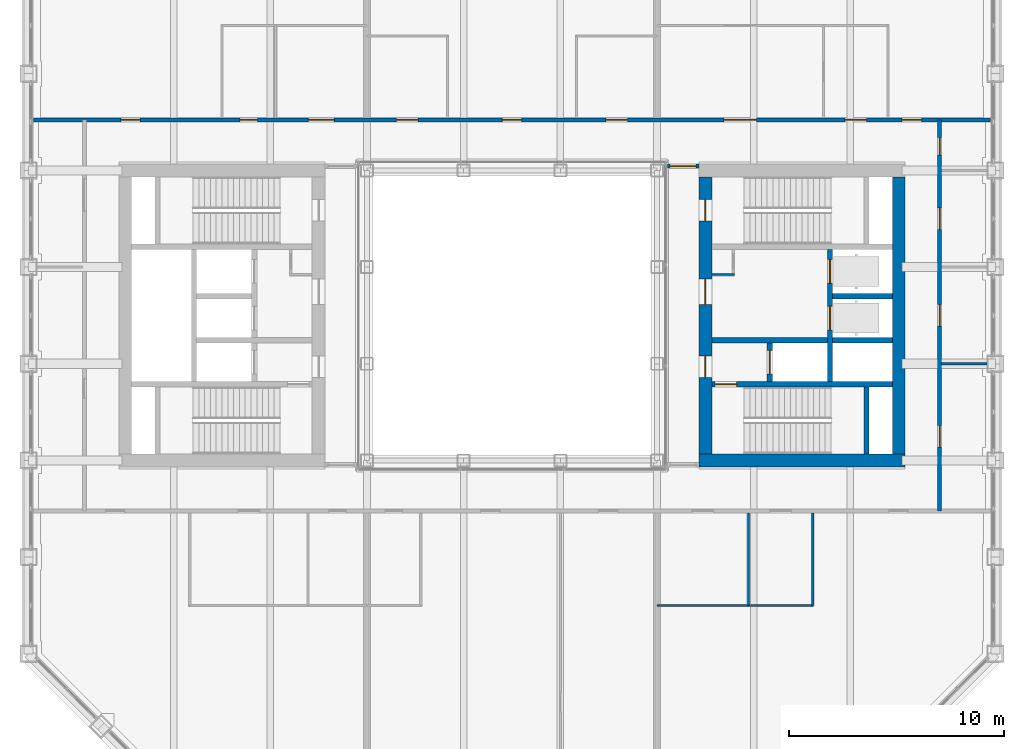
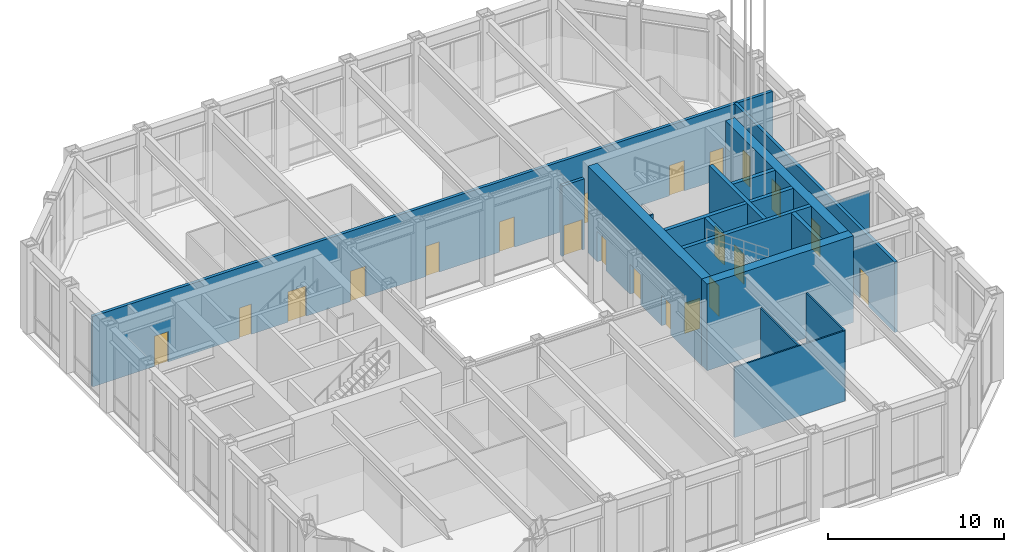
# One storey, part 14 of 22: 21 doors, 18 walls, 21 openings.
"""IFC4 building model written with IfcOpenShell, lengths in metres."""

from ifc_helpers import new_model, si_unit, direction, frame, frame_2d, origin, place, context, subcontext, project, spatial, rectangle, extrude, material, layer, layer_set, type_object, element, fill, save


model = new_model("IFC4")

# Units and contexts
model_context = context("Model", 3, precision=1e-05, world=origin(), true_north=direction((0.0, 1.0)))
body_context = subcontext(model_context, "Body", "Model", "MODEL_VIEW")
ifc_project = project(units=[si_unit("LENGTHUNIT", "METRE"), si_unit("AREAUNIT", "SQUARE_METRE"), si_unit("VOLUMEUNIT", "CUBIC_METRE"), si_unit("PLANEANGLEUNIT", "RADIAN"), si_unit("MASSUNIT", "GRAM", prefix="KILO")], contexts=[model_context])

# Site, building, storey
site_placement = place(None, origin())
site = spatial("IfcSite", under=ifc_project, at=site_placement, CompositionType="ELEMENT")
building_placement = place(site_placement, origin())
building = spatial("IfcBuilding", under=site, at=building_placement, Name="Msasa Ring Tower", CompositionType="ELEMENT")
storey_placement = place(building_placement, frame((0.0, 0.0, 112.39990234375)))
storey = spatial("IfcBuildingStorey", under=building, at=storey_placement, Name="L29", CompositionType="ELEMENT", Elevation=112.39990234375)

# Wall
ifc_material_1 = material(Name="Concrete C60/75", Category="concrete")
ifc_layer_1 = layer(ifc_material_1, 0.60009765625)
ifc_layer_set_1 = layer_set([ifc_layer_1], Name="CW2 CORE WALL 600")
wall_type_1 = type_object("IfcWallType", Name="CW2 CORE WALL 600", PredefinedType="SHEAR", material=ifc_layer_set_1)
wall_1_placement = place(storey_placement, frame((8.699951171875, -6.75, 0.0), z_axis=(0.0, 0.0, 1.0), x_axis=(1.0, 0.0, 0.0)))
element("IfcWall", 1, at=wall_1_placement, inside=storey, type_object=wall_type_1, Name="E core wall S L29", PredefinedType="SHEAR", context=body_context, shape_type="SweptSolid", body=[
    extrude(rectangle(XDim=9.60009765625, YDim=0.60009765625, at=frame_2d((4.800048828125, 0.0))), origin(), (0.0, 0.0, 1.0), 6.0),
])

# Wall, openings, doors
wall_2_placement = place(storey_placement, frame((9.0, -6.449951171875, 0.0), z_axis=(0.0, 0.0, 1.0), x_axis=(0.0, 1.0, 0.0)))
wall_2 = element("IfcWall", 2, at=wall_2_placement, inside=storey, type_object=wall_type_1, Name="E core wall W L29", PredefinedType="SHEAR", context=body_context, shape_type="SweptSolid", body=[
    extrude(rectangle(XDim=12.89990234375, YDim=0.60009765625, at=frame_2d((6.449951171875, 0.0))), origin(), (0.0, 0.0, 1.0), 6.0),
])
opening_1_placement = place(wall_2_placement, frame((3.550048828125, 0.0, 0.0)))
opening_1 = element("IfcOpeningElement", 3, at=opening_1_placement, cuts=wall_2, Name="Opening L29-025", PredefinedType="OPENING", context=body_context, shape_type="SweptSolid", body=[
    extrude(rectangle(XDim=1.0, YDim=2.10009765625, at=frame_2d((0.5, 1.050048828125))), frame((0.0, 0.31005859375, 0.0), z_axis=(0.0, -1.0, 0.0), x_axis=(1.0, 0.0, 0.0)), (0.0, 0.0, 1.0), 0.6201171875),
])
opening_2_placement = place(wall_2_placement, frame((6.949951171875, 0.0, 0.0)))
opening_2 = element("IfcOpeningElement", 4, at=opening_2_placement, cuts=wall_2, Name="Opening L29-022", PredefinedType="OPENING", context=body_context, shape_type="SweptSolid", body=[
    extrude(rectangle(XDim=1.199951171875, YDim=2.10009765625, at=frame_2d((0.60009765625, 1.050048828125))), frame((0.0, 0.31005859375, 0.0), z_axis=(0.0, -1.0, 0.0), x_axis=(1.0, 0.0, 0.0)), (0.0, 0.0, 1.0), 0.6201171875),
])
opening_3_placement = place(wall_2_placement, frame((10.85009765625, 0.0, 0.0)))
opening_3 = element("IfcOpeningElement", 5, at=opening_3_placement, cuts=wall_2, Name="Opening L29-017", PredefinedType="OPENING", context=body_context, shape_type="SweptSolid", body=[
    extrude(rectangle(XDim=1.0, YDim=2.10009765625, at=frame_2d((0.5, 1.050048828125))), frame((0.0, 0.31005859375, 0.0), z_axis=(0.0, -1.0, 0.0), x_axis=(1.0, 0.0, 0.0)), (0.0, 0.0, 1.0), 0.6201171875),
])
ifc_material_2 = material(Name="Timber door leaf in a steel frame", Category="steel")
door_type_1 = type_object("IfcDoorType", Name="D4 LOBBY DOOR 1000x2100", OperationType="SINGLE_SWING_LEFT", PredefinedType="DOOR", material=ifc_material_2)
door_1_placement = place(opening_1_placement, origin())
door_1 = element("IfcDoor", 6, at=door_1_placement, inside=storey, type_object=door_type_1, Name="Door L29-EFFL", OperationType="SINGLE_SWING_LEFT", OverallHeight=2.10009765625, OverallWidth=1.0, PredefinedType="DOOR", context=body_context, shape_type="SweptSolid", body=[
    extrude(rectangle(XDim=1.0, YDim=2.10009765625, at=frame_2d((0.5, 1.050048828125))), frame((0.0, 0.02490234375, 0.0), z_axis=(0.0, -1.0, 0.0), x_axis=(1.0, 0.0, 0.0)), (0.0, 0.0, 1.0), 0.050048828125),
])
fill(opening_1, door_1)
ifc_material_3 = material(Name="Timber door leaf in a steel frame", Category="steel")
door_type_2 = type_object("IfcDoorType", Name="D5 WIDE LOBBY DOOR 1200x2100", OperationType="SINGLE_SWING_LEFT", PredefinedType="DOOR", material=ifc_material_3)
door_2_placement = place(opening_2_placement, origin())
door_2 = element("IfcDoor", 7, at=door_2_placement, inside=storey, type_object=door_type_2, Name="Door L29-ELL", OperationType="SINGLE_SWING_RIGHT", OverallHeight=2.10009765625, OverallWidth=1.199951171875, PredefinedType="DOOR", context=body_context, shape_type="SweptSolid", body=[
    extrude(rectangle(XDim=1.199951171875, YDim=2.10009765625, at=frame_2d((0.60009765625, 1.050048828125))), frame((0.0, 0.02490234375, 0.0), z_axis=(0.0, -1.0, 0.0), x_axis=(1.0, 0.0, 0.0)), (0.0, 0.0, 1.0), 0.050048828125),
])
fill(opening_2, door_2)
ifc_material_4 = material(Name="Timber door leaf in a steel frame", Category="steel")
door_type_3 = type_object("IfcDoorType", Name="D6 STAIR DOOR 1000x2100", OperationType="SINGLE_SWING_LEFT", PredefinedType="DOOR", material=ifc_material_4)
door_3_placement = place(opening_3_placement, origin())
door_3 = element("IfcDoor", 8, at=door_3_placement, inside=storey, type_object=door_type_3, Name="Door L29-ESTB", OperationType="SINGLE_SWING_RIGHT", OverallHeight=2.10009765625, OverallWidth=1.0, PredefinedType="DOOR", context=body_context, shape_type="SweptSolid", body=[
    extrude(rectangle(XDim=1.0, YDim=2.10009765625, at=frame_2d((0.5, 1.050048828125))), frame((0.0, 0.02490234375, 0.0), z_axis=(0.0, -1.0, 0.0), x_axis=(1.0, 0.0, 0.0)), (0.0, 0.0, 1.0), 0.050048828125),
])
fill(opening_3, door_3)

# Wall
wall_3_placement = place(storey_placement, frame((18.0, -6.449951171875, 0.0), z_axis=(0.0, 0.0, 1.0), x_axis=(0.0, 1.0, 0.0)))
element("IfcWall", 9, at=wall_3_placement, inside=storey, type_object=wall_type_1, Name="E core wall E L29", PredefinedType="SHEAR", context=body_context, shape_type="SweptSolid", body=[
    extrude(rectangle(XDim=12.89990234375, YDim=0.60009765625, at=frame_2d((6.449951171875, 0.0))), origin(), (0.0, 0.0, 1.0), 6.0),
])

# Wall, opening, door
ifc_material_5 = material(Name="Concrete C60/75", Category="concrete")
ifc_layer_2 = layer(ifc_material_5, 0.25)
ifc_layer_set_2 = layer_set([ifc_layer_2], Name="CW4 CORE INNER WALL 250")
wall_type_2 = type_object("IfcWallType", Name="CW4 CORE INNER WALL 250", PredefinedType="SHEAR", material=ifc_layer_set_2)
wall_4_placement = place(storey_placement, frame((9.300048828125, -3.199951171875, 0.0), z_axis=(0.0, 0.0, 1.0), x_axis=(1.0, 0.0, 0.0)))
wall_4 = element("IfcWall", 10, at=wall_4_placement, inside=storey, type_object=wall_type_2, Name="E core wall STAIRA L29", PredefinedType="SHEAR", context=body_context, shape_type="SweptSolid", body=[
    extrude(rectangle(XDim=8.39990234375, YDim=0.25, at=frame_2d((4.199951171875, 0.0))), origin(), (0.0, 0.0, 1.0), 6.0),
])
opening_4_placement = place(wall_4_placement, frame((0.14990234375, 0.0, 0.0)))
opening_4 = element("IfcOpeningElement", 11, at=opening_4_placement, cuts=wall_4, Name="Opening L29-027", PredefinedType="OPENING", context=body_context, shape_type="SweptSolid", body=[
    extrude(rectangle(XDim=1.0, YDim=2.10009765625, at=frame_2d((0.5, 1.050048828125))), frame((0.0, 0.135009765625, 0.0), z_axis=(0.0, -1.0, 0.0), x_axis=(1.0, 0.0, 0.0)), (0.0, 0.0, 1.0), 0.27001953125),
])
door_4_placement = place(opening_4_placement, origin())
door_4 = element("IfcDoor", 12, at=door_4_placement, inside=storey, type_object=door_type_3, Name="Door L29-ESTA", OperationType="SINGLE_SWING_LEFT", OverallHeight=2.10009765625, OverallWidth=1.0, PredefinedType="DOOR", context=body_context, shape_type="SweptSolid", body=[
    extrude(rectangle(XDim=1.0, YDim=2.10009765625, at=frame_2d((0.5, 1.050048828125))), frame((0.0, 0.02490234375, 0.0), z_axis=(0.0, -1.0, 0.0), x_axis=(1.0, 0.0, 0.0)), (0.0, 0.0, 1.0), 0.050048828125),
])
fill(opening_4, door_4)

# Walls
wall_5_placement = place(storey_placement, frame((16.5, -6.449951171875, 0.0), z_axis=(0.0, 0.0, 1.0), x_axis=(0.0, 1.0, 0.0)))
element("IfcWall", 13, at=wall_5_placement, inside=storey, type_object=wall_type_2, Name="E core wall RISERA L29", PredefinedType="SHEAR", context=body_context, shape_type="SweptSolid", body=[
    extrude(rectangle(XDim=3.125, YDim=0.25, at=frame_2d((1.5625, 0.0))), origin(), (0.0, 0.0, 1.0), 6.0),
])
wall_6_placement = place(storey_placement, frame((9.300048828125, -1.14990234375, 0.0), z_axis=(0.0, 0.0, 1.0), x_axis=(1.0, 0.0, 0.0)))
element("IfcWall", 14, at=wall_6_placement, inside=storey, type_object=wall_type_2, Name="E core wall FFL L29", PredefinedType="SHEAR", context=body_context, shape_type="SweptSolid", body=[
    extrude(rectangle(XDim=5.375, YDim=0.25, at=frame_2d((2.6875, 0.0))), origin(), (0.0, 0.0, 1.0), 6.0),
])

# Wall, opening, door
wall_7_placement = place(storey_placement, frame((12.0, -3.074951171875, 0.0), z_axis=(0.0, 0.0, 1.0), x_axis=(0.0, 1.0, 0.0)))
wall_7 = element("IfcWall", 15, at=wall_7_placement, inside=storey, type_object=wall_type_2, Name="E core wall LOBBY L29", PredefinedType="SHEAR", context=body_context, shape_type="SweptSolid", body=[
    extrude(rectangle(XDim=1.800048828125, YDim=0.25, at=frame_2d((0.89990234375, 0.0))), origin(), (0.0, 0.0, 1.0), 6.0),
])
opening_5_placement = place(wall_7_placement, frame((0.35009765625, 0.0, 0.0)))
opening_5 = element("IfcOpeningElement", 16, at=opening_5_placement, cuts=wall_7, Name="Opening LD1", PredefinedType="OPENING", context=body_context, shape_type="SweptSolid", body=[
    extrude(rectangle(XDim=1.10009765625, YDim=2.10009765625, at=frame_2d((0.550048828125, 1.050048828125))), frame((0.0, 0.135009765625, 0.0), z_axis=(0.0, -1.0, 0.0), x_axis=(1.0, 0.0, 0.0)), (0.0, 0.0, 1.0), 0.27001953125),
])
ifc_material_6 = material(Name="Stainless steel lift landing door", Category="steel")
door_type_4 = type_object("IfcDoorType", Name="LD1 LIFT LANDING DOOR 1100x2100", OperationType="DOUBLE_DOOR_SLIDING", PredefinedType="DOOR", material=ifc_material_6)
door_5_placement = place(opening_5_placement, origin())
door_5 = element("IfcDoor", 17, at=door_5_placement, inside=storey, type_object=door_type_4, Name="Lift landing door FL-E L29", OperationType="DOUBLE_DOOR_SLIDING", OverallHeight=2.10009765625, OverallWidth=1.10009765625, PredefinedType="DOOR", context=body_context, shape_type="SweptSolid", body=[
    extrude(rectangle(XDim=1.10009765625, YDim=2.10009765625, at=frame_2d((0.550048828125, 1.050048828125))), frame((0.0, 0.02490234375, 0.0), z_axis=(0.0, -1.0, 0.0), x_axis=(1.0, 0.0, 0.0)), (0.0, 0.0, 1.0), 0.050048828125),
])
fill(opening_5, door_5)

# Wall, openings, doors
wall_8_placement = place(storey_placement, frame((14.800048828125, -3.074951171875, 0.0), z_axis=(0.0, 0.0, 1.0), x_axis=(0.0, 1.0, 0.0)))
wall_8 = element("IfcWall", 18, at=wall_8_placement, inside=storey, type_object=wall_type_2, Name="E core wall SHAFT L29", PredefinedType="SHEAR", context=body_context, shape_type="SweptSolid", body=[
    extrude(rectangle(XDim=6.14990234375, YDim=0.25, at=frame_2d((3.074951171875, 0.0))), origin(), (0.0, 0.0, 1.0), 6.0),
])
opening_6_placement = place(wall_8_placement, frame((2.39990234375, 0.0, 0.0)))
opening_6 = element("IfcOpeningElement", 19, at=opening_6_placement, cuts=wall_8, Name="Opening LD1", PredefinedType="OPENING", context=body_context, shape_type="SweptSolid", body=[
    extrude(rectangle(XDim=1.10009765625, YDim=2.10009765625, at=frame_2d((0.550048828125, 1.050048828125))), frame((0.0, 0.135009765625, 0.0), z_axis=(0.0, -1.0, 0.0), x_axis=(1.0, 0.0, 0.0)), (0.0, 0.0, 1.0), 0.27001953125),
])
opening_7_placement = place(wall_8_placement, frame((4.574951171875, 0.0, 0.0)))
opening_7 = element("IfcOpeningElement", 20, at=opening_7_placement, cuts=wall_8, Name="Opening LD1", PredefinedType="OPENING", context=body_context, shape_type="SweptSolid", body=[
    extrude(rectangle(XDim=1.10009765625, YDim=2.10009765625, at=frame_2d((0.550048828125, 1.050048828125))), frame((0.0, 0.135009765625, 0.0), z_axis=(0.0, -1.0, 0.0), x_axis=(1.0, 0.0, 0.0)), (0.0, 0.0, 1.0), 0.27001953125),
])
door_6_placement = place(opening_6_placement, origin())
door_6 = element("IfcDoor", 21, at=door_6_placement, inside=storey, type_object=door_type_4, Name="Lift landing door PL-H1 L29", OperationType="DOUBLE_DOOR_SLIDING", OverallHeight=2.10009765625, OverallWidth=1.10009765625, PredefinedType="DOOR", context=body_context, shape_type="SweptSolid", body=[
    extrude(rectangle(XDim=1.10009765625, YDim=2.10009765625, at=frame_2d((0.550048828125, 1.050048828125))), frame((0.0, 0.02490234375, 0.0), z_axis=(0.0, -1.0, 0.0), x_axis=(1.0, 0.0, 0.0)), (0.0, 0.0, 1.0), 0.050048828125),
])
fill(opening_6, door_6)
door_7_placement = place(opening_7_placement, origin())
door_7 = element("IfcDoor", 22, at=door_7_placement, inside=storey, type_object=door_type_4, Name="Lift landing door PL-H2 L29", OperationType="DOUBLE_DOOR_SLIDING", OverallHeight=2.10009765625, OverallWidth=1.10009765625, PredefinedType="DOOR", context=body_context, shape_type="SweptSolid", body=[
    extrude(rectangle(XDim=1.10009765625, YDim=2.10009765625, at=frame_2d((0.550048828125, 1.050048828125))), frame((0.0, 0.02490234375, 0.0), z_axis=(0.0, -1.0, 0.0), x_axis=(1.0, 0.0, 0.0)), (0.0, 0.0, 1.0), 0.050048828125),
])
fill(opening_7, door_7)

# Walls
for number, where, z_axis, x_axis, name in (
    (23, (14.925048828125, -1.14990234375, 0.0), (0.0, 0.0, 1.0), (1.0, 0.0, 0.0), "E core wall HSEP L29"),
    (24, (14.925048828125, 0.89990234375, 0.0), (0.0, 0.0, 1.0), (1.0, 0.0, 0.0), "E core wall HLIFT L29"),
):
    element("IfcWall", number, at=place(storey_placement, frame(where, z_axis=z_axis, x_axis=x_axis)), inside=storey, type_object=wall_type_2, Name=name, PredefinedType="SHEAR", context=body_context, shape_type="SweptSolid", body=[
        extrude(rectangle(XDim=2.77490234375, YDim=0.25, at=frame_2d((1.387451171875, 0.0))), origin(), (0.0, 0.0, 1.0), 6.0),
    ])

# Wall, opening, door
ifc_material_7 = material(Name="Concrete blockwork", Category="masonry")
ifc_layer_3 = layer(ifc_material_7, 0.199951171875)
ifc_layer_set_3 = layer_set([ifc_layer_3], Name="PT1 CORRIDOR WALL 200")
wall_type_3 = type_object("IfcWallType", Name="PT1 CORRIDOR WALL 200", PredefinedType="PARTITIONING", material=ifc_layer_set_3)
wall_9_placement = place(storey_placement, frame((7.22998046875, 6.949951171875, 0.0), z_axis=(0.0, 0.0, 1.0), x_axis=(1.0, 0.0, 0.0)))
wall_9 = element("IfcWall", 25, at=wall_9_placement, inside=storey, type_object=wall_type_3, Name="Corridor wall L29-SDEN", PredefinedType="PARTITIONING", context=body_context, shape_type="SweptSolid", body=[
    extrude(rectangle(XDim=1.469970703125, YDim=0.199951171875, at=frame_2d((0.73486328125, 0.0))), origin(), (0.0, 0.0, 1.0), 4.87353515625),
])
opening_8_placement = place(wall_9_placement, frame((0.135009765625, 0.0, 0.0)))
opening_8 = element("IfcOpeningElement", 26, at=opening_8_placement, cuts=wall_9, Name="Opening L29-014", PredefinedType="OPENING", context=body_context, shape_type="SweptSolid", body=[
    extrude(rectangle(XDim=1.199951171875, YDim=2.10009765625, at=frame_2d((0.60009765625, 1.050048828125))), frame((0.0, 0.10986328125, 0.0), z_axis=(0.0, -1.0, 0.0), x_axis=(1.0, 0.0, 0.0)), (0.0, 0.0, 1.0), 0.219970703125),
])
ifc_material_8 = material(Name="Timber door leaf in a steel frame", Category="steel")
door_type_5 = type_object("IfcDoorType", Name="D25 CORRIDOR PAIR OF SMOKE DOORS 1200x2100", OperationType="DOUBLE_DOOR_DOUBLE_SWING", PredefinedType="DOOR", material=ifc_material_8)
door_8_placement = place(opening_8_placement, origin())
door_8 = element("IfcDoor", 27, at=door_8_placement, inside=storey, type_object=door_type_5, Name="Door L29-SDEN", OperationType="DOUBLE_DOOR_DOUBLE_SWING", OverallHeight=2.10009765625, OverallWidth=1.199951171875, PredefinedType="DOOR", context=body_context, shape_type="SweptSolid", body=[
    extrude(rectangle(XDim=1.199951171875, YDim=2.10009765625, at=frame_2d((0.60009765625, 1.050048828125))), frame((0.0, 0.02490234375, 0.0), z_axis=(0.0, -1.0, 0.0), x_axis=(1.0, 0.0, 0.0)), (0.0, 0.0, 1.0), 0.050048828125),
])
fill(opening_8, door_8)

# Wall, openings, doors
wall_10_placement = place(storey_placement, frame((-22.27490234375, 9.10009765625, 0.0), z_axis=(0.0, 0.0, 1.0), x_axis=(1.0, 0.0, 0.0)))
wall_10 = element("IfcWall", 28, at=wall_10_placement, inside=storey, type_object=wall_type_3, Name="Corridor wall L29-CORRN0", PredefinedType="PARTITIONING", context=body_context, shape_type="SweptSolid", body=[
    extrude(rectangle(XDim=44.5498046875, YDim=0.199951171875, at=frame_2d((22.27490234375, 0.0))), origin(), (0.0, 0.0, 1.0), 4.87353515625),
])
opening_9_placement = place(wall_10_placement, frame((4.065185546875, 0.0, 0.0)))
opening_9 = element("IfcOpeningElement", 29, at=opening_9_placement, cuts=wall_10, Name="Opening L29-003", PredefinedType="OPENING", context=body_context, shape_type="SweptSolid", body=[
    extrude(rectangle(XDim=0.89990234375, YDim=2.10009765625, at=frame_2d((0.449951171875, 1.050048828125))), frame((0.0, 0.10986328125, 0.0), z_axis=(0.0, -1.0, 0.0), x_axis=(1.0, 0.0, 0.0)), (0.0, 0.0, 1.0), 0.219970703125),
])
opening_10_placement = place(wall_10_placement, frame((9.625, 0.0, 0.0)))
opening_10 = element("IfcOpeningElement", 30, at=opening_10_placement, cuts=wall_10, Name="Opening L29-004", PredefinedType="OPENING", context=body_context, shape_type="SweptSolid", body=[
    extrude(rectangle(XDim=0.800048828125, YDim=2.10009765625, at=frame_2d((0.39990234375, 1.050048828125))), frame((0.0, 0.10986328125, 0.0), z_axis=(0.0, -1.0, 0.0), x_axis=(1.0, 0.0, 0.0)), (0.0, 0.0, 1.0), 0.219970703125),
])
opening_11_placement = place(wall_10_placement, frame((12.800048828125, 0.0, 0.0)))
opening_11 = element("IfcOpeningElement", 31, at=opening_11_placement, cuts=wall_10, Name="Opening L29-005", PredefinedType="OPENING", context=body_context, shape_type="SweptSolid", body=[
    extrude(rectangle(XDim=1.199951171875, YDim=2.10009765625, at=frame_2d((0.60009765625, 1.050048828125))), frame((0.0, 0.10986328125, 0.0), z_axis=(0.0, -1.0, 0.0), x_axis=(1.0, 0.0, 0.0)), (0.0, 0.0, 1.0), 0.219970703125),
])
opening_12_placement = place(wall_10_placement, frame((21.824951171875, 0.0, 0.0)))
opening_12 = element("IfcOpeningElement", 32, at=opening_12_placement, cuts=wall_10, Name="Opening L29-007", PredefinedType="OPENING", context=body_context, shape_type="SweptSolid", body=[
    extrude(rectangle(XDim=0.89990234375, YDim=2.10009765625, at=frame_2d((0.449951171875, 1.050048828125))), frame((0.0, 0.10986328125, 0.0), z_axis=(0.0, -1.0, 0.0), x_axis=(1.0, 0.0, 0.0)), (0.0, 0.0, 1.0), 0.219970703125),
])
opening_13_placement = place(wall_10_placement, frame((16.89990234375, 0.0, 0.0)))
opening_13 = element("IfcOpeningElement", 33, at=opening_13_placement, cuts=wall_10, Name="Opening L29-006", PredefinedType="OPENING", context=body_context, shape_type="SweptSolid", body=[
    extrude(rectangle(XDim=1.0, YDim=2.10009765625, at=frame_2d((0.5, 1.050048828125))), frame((0.0, 0.10986328125, 0.0), z_axis=(0.0, -1.0, 0.0), x_axis=(1.0, 0.0, 0.0)), (0.0, 0.0, 1.0), 0.219970703125),
])
opening_14_placement = place(wall_10_placement, frame((26.64990234375, 0.0, 0.0)))
opening_14 = element("IfcOpeningElement", 34, at=opening_14_placement, cuts=wall_10, Name="Opening L29-008", PredefinedType="OPENING", context=body_context, shape_type="SweptSolid", body=[
    extrude(rectangle(XDim=1.0, YDim=2.10009765625, at=frame_2d((0.5, 1.050048828125))), frame((0.0, 0.10986328125, 0.0), z_axis=(0.0, -1.0, 0.0), x_axis=(1.0, 0.0, 0.0)), (0.0, 0.0, 1.0), 0.219970703125),
])
opening_15_placement = place(wall_10_placement, frame((40.435546875, 0.0, 0.0)))
opening_15 = element("IfcOpeningElement", 35, at=opening_15_placement, cuts=wall_10, Name="Opening L29-011", PredefinedType="OPENING", context=body_context, shape_type="SweptSolid", body=[
    extrude(rectangle(XDim=0.89990234375, YDim=2.10009765625, at=frame_2d((0.449951171875, 1.050048828125))), frame((0.0, 0.10986328125, 0.0), z_axis=(0.0, -1.0, 0.0), x_axis=(1.0, 0.0, 0.0)), (0.0, 0.0, 1.0), 0.219970703125),
])
opening_16_placement = place(wall_10_placement, frame((32.14990234375, 0.0, 0.0)))
opening_16 = element("IfcOpeningElement", 36, at=opening_16_placement, cuts=wall_10, Name="Opening L29-009", PredefinedType="OPENING", context=body_context, shape_type="SweptSolid", body=[
    extrude(rectangle(XDim=1.5, YDim=2.10009765625, at=frame_2d((0.75, 1.050048828125))), frame((0.0, 0.10986328125, 0.0), z_axis=(0.0, -1.0, 0.0), x_axis=(1.0, 0.0, 0.0)), (0.0, 0.0, 1.0), 0.219970703125),
])
opening_17_placement = place(wall_10_placement, frame((37.77490234375, 0.0, 0.0)))
opening_17 = element("IfcOpeningElement", 37, at=opening_17_placement, cuts=wall_10, Name="Opening L29-010", PredefinedType="OPENING", context=body_context, shape_type="SweptSolid", body=[
    extrude(rectangle(XDim=1.0, YDim=2.10009765625, at=frame_2d((0.5, 1.050048828125))), frame((0.0, 0.10986328125, 0.0), z_axis=(0.0, -1.0, 0.0), x_axis=(1.0, 0.0, 0.0)), (0.0, 0.0, 1.0), 0.219970703125),
])
ifc_material_9 = material(Name="Timber door leaf in a steel frame", Category="steel")
door_type_6 = type_object("IfcDoorType", Name="D1 SINGLE DOOR TO CORRIDOR 900x2100", OperationType="SINGLE_SWING_LEFT", PredefinedType="DOOR", material=ifc_material_9)
door_9_placement = place(opening_9_placement, origin())
door_9 = element("IfcDoor", 38, at=door_9_placement, inside=storey, type_object=door_type_6, Name="Door L29-SLN0F0", OperationType="SINGLE_SWING_LEFT", OverallHeight=2.10009765625, OverallWidth=0.89990234375, PredefinedType="DOOR", context=body_context, shape_type="SweptSolid", body=[
    extrude(rectangle(XDim=0.89990234375, YDim=2.10009765625, at=frame_2d((0.449951171875, 1.050048828125))), frame((0.0, 0.02490234375, 0.0), z_axis=(0.0, -1.0, 0.0), x_axis=(1.0, 0.0, 0.0)), (0.0, 0.0, 1.0), 0.050048828125),
])
fill(opening_9, door_9)
door_10_placement = place(opening_12_placement, origin())
door_10 = element("IfcDoor", 39, at=door_10_placement, inside=storey, type_object=door_type_6, Name="Door L29-SLN1F0", OperationType="SINGLE_SWING_LEFT", OverallHeight=2.10009765625, OverallWidth=0.89990234375, PredefinedType="DOOR", context=body_context, shape_type="SweptSolid", body=[
    extrude(rectangle(XDim=0.89990234375, YDim=2.10009765625, at=frame_2d((0.449951171875, 1.050048828125))), frame((0.0, 0.02490234375, 0.0), z_axis=(0.0, -1.0, 0.0), x_axis=(1.0, 0.0, 0.0)), (0.0, 0.0, 1.0), 0.050048828125),
])
fill(opening_12, door_10)
door_11_placement = place(opening_15_placement, origin())
door_11 = element("IfcDoor", 40, at=door_11_placement, inside=storey, type_object=door_type_6, Name="Door L29-SLN2F0", OperationType="SINGLE_SWING_RIGHT", OverallHeight=2.10009765625, OverallWidth=0.89990234375, PredefinedType="DOOR", context=body_context, shape_type="SweptSolid", body=[
    extrude(rectangle(XDim=0.89990234375, YDim=2.10009765625, at=frame_2d((0.449951171875, 1.050048828125))), frame((0.0, 0.02490234375, 0.0), z_axis=(0.0, -1.0, 0.0), x_axis=(1.0, 0.0, 0.0)), (0.0, 0.0, 1.0), 0.050048828125),
])
fill(opening_15, door_11)
ifc_material_10 = material(Name="Timber door leaf in a steel frame", Category="steel")
door_type_7 = type_object("IfcDoorType", Name="D11 NARROW STORE DOOR 800x2100", OperationType="SINGLE_SWING_LEFT", PredefinedType="DOOR", material=ifc_material_10)
door_12_placement = place(opening_10_placement, origin())
door_12 = element("IfcDoor", 41, at=door_12_placement, inside=storey, type_object=door_type_7, Name="Door L29-SLN0B0", OperationType="SINGLE_SWING_LEFT", OverallHeight=2.10009765625, OverallWidth=0.800048828125, PredefinedType="DOOR", context=body_context, shape_type="SweptSolid", body=[
    extrude(rectangle(XDim=0.800048828125, YDim=2.10009765625, at=frame_2d((0.39990234375, 1.050048828125))), frame((0.0, 0.02490234375, 0.0), z_axis=(0.0, -1.0, 0.0), x_axis=(1.0, 0.0, 0.0)), (0.0, 0.0, 1.0), 0.050048828125),
])
fill(opening_10, door_12)
ifc_material_11 = material(Name="Timber door leaf in a steel frame", Category="steel")
door_type_8 = type_object("IfcDoorType", Name="D19 KITCHEN DOUBLE SWING DOOR 1500x2100", OperationType="SINGLE_SWING_LEFT", PredefinedType="DOOR", material=ifc_material_11)
door_13_placement = place(opening_16_placement, origin())
door_13 = element("IfcDoor", 42, at=door_13_placement, inside=storey, type_object=door_type_8, Name="Door L29-SLN2B0C", OperationType="SINGLE_SWING_RIGHT", OverallHeight=2.10009765625, OverallWidth=1.5, PredefinedType="DOOR", context=body_context, shape_type="SweptSolid", body=[
    extrude(rectangle(XDim=1.5, YDim=2.10009765625, at=frame_2d((0.75, 1.050048828125))), frame((0.0, 0.02490234375, 0.0), z_axis=(0.0, -1.0, 0.0), x_axis=(1.0, 0.0, 0.0)), (0.0, 0.0, 1.0), 0.050048828125),
])
fill(opening_16, door_13)
ifc_material_12 = material(Name="Timber door leaf in a steel frame", Category="steel")
door_type_9 = type_object("IfcDoorType", Name="D26 WIDE SERVICE ROOM DOOR 1200x2100", OperationType="SINGLE_SWING_LEFT", PredefinedType="DOOR", material=ifc_material_12)
door_14_placement = place(opening_11_placement, origin())
door_14 = element("IfcDoor", 43, at=door_14_placement, inside=storey, type_object=door_type_9, Name="Door L29-SLN0B1", OperationType="SINGLE_SWING_LEFT", OverallHeight=2.10009765625, OverallWidth=1.199951171875, PredefinedType="DOOR", context=body_context, shape_type="SweptSolid", body=[
    extrude(rectangle(XDim=1.199951171875, YDim=2.10009765625, at=frame_2d((0.60009765625, 1.050048828125))), frame((0.0, 0.02490234375, 0.0), z_axis=(0.0, -1.0, 0.0), x_axis=(1.0, 0.0, 0.0)), (0.0, 0.0, 1.0), 0.050048828125),
])
fill(opening_11, door_14)
ifc_material_13 = material(Name="Timber door leaf in a steel frame", Category="steel")
door_type_10 = type_object("IfcDoorType", Name="D40 SINGLE DOOR TO CORRIDOR 1000x2100", OperationType="SINGLE_SWING_LEFT", PredefinedType="DOOR", material=ifc_material_13)
door_15_placement = place(opening_13_placement, origin())
door_15 = element("IfcDoor", 44, at=door_15_placement, inside=storey, type_object=door_type_10, Name="Door L29-SLN1B0", OperationType="SINGLE_SWING_LEFT", OverallHeight=2.10009765625, OverallWidth=1.0, PredefinedType="DOOR", context=body_context, shape_type="SweptSolid", body=[
    extrude(rectangle(XDim=1.0, YDim=2.10009765625, at=frame_2d((0.5, 1.050048828125))), frame((0.0, 0.02490234375, 0.0), z_axis=(0.0, -1.0, 0.0), x_axis=(1.0, 0.0, 0.0)), (0.0, 0.0, 1.0), 0.050048828125),
])
fill(opening_13, door_15)
door_16_placement = place(opening_14_placement, origin())
door_16 = element("IfcDoor", 45, at=door_16_placement, inside=storey, type_object=door_type_10, Name="Door L29-SLN1B1", OperationType="SINGLE_SWING_RIGHT", OverallHeight=2.10009765625, OverallWidth=1.0, PredefinedType="DOOR", context=body_context, shape_type="SweptSolid", body=[
    extrude(rectangle(XDim=1.0, YDim=2.10009765625, at=frame_2d((0.5, 1.050048828125))), frame((0.0, 0.02490234375, 0.0), z_axis=(0.0, -1.0, 0.0), x_axis=(1.0, 0.0, 0.0)), (0.0, 0.0, 1.0), 0.050048828125),
])
fill(opening_14, door_16)
door_17_placement = place(opening_17_placement, origin())
door_17 = element("IfcDoor", 46, at=door_17_placement, inside=storey, type_object=door_type_10, Name="Door L29-SLN2B1", OperationType="SINGLE_SWING_RIGHT", OverallHeight=2.10009765625, OverallWidth=1.0, PredefinedType="DOOR", context=body_context, shape_type="SweptSolid", body=[
    extrude(rectangle(XDim=1.0, YDim=2.10009765625, at=frame_2d((0.5, 1.050048828125))), frame((0.0, 0.02490234375, 0.0), z_axis=(0.0, -1.0, 0.0), x_axis=(1.0, 0.0, 0.0)), (0.0, 0.0, 1.0), 0.050048828125),
])
fill(opening_17, door_17)

wall_11_placement = place(storey_placement, frame((19.89990234375, -9.10009765625, 0.0), z_axis=(0.0, 0.0, 1.0), x_axis=(0.0, 1.0, 0.0)))
wall_11 = element("IfcWall", 47, at=wall_11_placement, inside=storey, type_object=wall_type_3, Name="Corridor wall L29-STRE", PredefinedType="PARTITIONING", context=body_context, shape_type="SweptSolid", body=[
    extrude(rectangle(XDim=18.2001953125, YDim=0.199951171875, at=frame_2d((9.10009765625, 0.0))), origin(), (0.0, 0.0, 1.0), 4.87353515625),
])
opening_18_placement = place(wall_11_placement, frame((2.97509765625, 0.0, 0.0)))
opening_18 = element("IfcOpeningElement", 48, at=opening_18_placement, cuts=wall_11, Name="Opening L29-029", PredefinedType="OPENING", context=body_context, shape_type="SweptSolid", body=[
    extrude(rectangle(XDim=1.0, YDim=2.10009765625, at=frame_2d((0.5, 1.050048828125))), frame((0.0, 0.10986328125, 0.0), z_axis=(0.0, -1.0, 0.0), x_axis=(1.0, 0.0, 0.0)), (0.0, 0.0, 1.0), 0.219970703125),
])
opening_19_placement = place(wall_11_placement, frame((8.60009765625, 0.0, 0.0)))
opening_19 = element("IfcOpeningElement", 49, at=opening_19_placement, cuts=wall_11, Name="Opening L29-023", PredefinedType="OPENING", context=body_context, shape_type="SweptSolid", body=[
    extrude(rectangle(XDim=1.0, YDim=2.10009765625, at=frame_2d((0.5, 1.050048828125))), frame((0.0, 0.10986328125, 0.0), z_axis=(0.0, -1.0, 0.0), x_axis=(1.0, 0.0, 0.0)), (0.0, 0.0, 1.0), 0.219970703125),
])
opening_20_placement = place(wall_11_placement, frame((13.10009765625, 0.0, 0.0)))
opening_20 = element("IfcOpeningElement", 50, at=opening_20_placement, cuts=wall_11, Name="Opening L29-018", PredefinedType="OPENING", context=body_context, shape_type="SweptSolid", body=[
    extrude(rectangle(XDim=1.0, YDim=2.10009765625, at=frame_2d((0.5, 1.050048828125))), frame((0.0, 0.10986328125, 0.0), z_axis=(0.0, -1.0, 0.0), x_axis=(1.0, 0.0, 0.0)), (0.0, 0.0, 1.0), 0.219970703125),
])
opening_21_placement = place(wall_11_placement, frame((16.574951171875, 0.0, 0.0)))
opening_21 = element("IfcOpeningElement", 51, at=opening_21_placement, cuts=wall_11, Name="Opening L29-012", PredefinedType="OPENING", context=body_context, shape_type="SweptSolid", body=[
    extrude(rectangle(XDim=0.800048828125, YDim=2.10009765625, at=frame_2d((0.39990234375, 1.050048828125))), frame((0.0, 0.10986328125, 0.0), z_axis=(0.0, -1.0, 0.0), x_axis=(1.0, 0.0, 0.0)), (0.0, 0.0, 1.0), 0.219970703125),
])
door_18_placement = place(opening_21_placement, origin())
door_18 = element("IfcDoor", 52, at=door_18_placement, inside=storey, type_object=door_type_7, Name="Door L29-WCE3", OperationType="SINGLE_SWING_RIGHT", OverallHeight=2.10009765625, OverallWidth=0.800048828125, PredefinedType="DOOR", context=body_context, shape_type="SweptSolid", body=[
    extrude(rectangle(XDim=0.800048828125, YDim=2.10009765625, at=frame_2d((0.39990234375, 1.050048828125))), frame((0.0, 0.02490234375, 0.0), z_axis=(0.0, -1.0, 0.0), x_axis=(1.0, 0.0, 0.0)), (0.0, 0.0, 1.0), 0.050048828125),
])
fill(opening_21, door_18)
ifc_material_14 = material(Name="Timber door leaf in a steel frame", Category="steel")
door_type_11 = type_object("IfcDoorType", Name="D12 WC DOOR 1000x2100", OperationType="SINGLE_SWING_LEFT", PredefinedType="DOOR", material=ifc_material_14)
door_19_placement = place(opening_18_placement, origin())
door_19 = element("IfcDoor", 53, at=door_19_placement, inside=storey, type_object=door_type_11, Name="Door L29-WCE0", OperationType="SINGLE_SWING_LEFT", OverallHeight=2.10009765625, OverallWidth=1.0, PredefinedType="DOOR", context=body_context, shape_type="SweptSolid", body=[
    extrude(rectangle(XDim=1.0, YDim=2.10009765625, at=frame_2d((0.5, 1.050048828125))), frame((0.0, 0.02490234375, 0.0), z_axis=(0.0, -1.0, 0.0), x_axis=(1.0, 0.0, 0.0)), (0.0, 0.0, 1.0), 0.050048828125),
])
fill(opening_18, door_19)
door_20_placement = place(opening_19_placement, origin())
door_20 = element("IfcDoor", 54, at=door_20_placement, inside=storey, type_object=door_type_11, Name="Door L29-WCE1", OperationType="SINGLE_SWING_LEFT", OverallHeight=2.10009765625, OverallWidth=1.0, PredefinedType="DOOR", context=body_context, shape_type="SweptSolid", body=[
    extrude(rectangle(XDim=1.0, YDim=2.10009765625, at=frame_2d((0.5, 1.050048828125))), frame((0.0, 0.02490234375, 0.0), z_axis=(0.0, -1.0, 0.0), x_axis=(1.0, 0.0, 0.0)), (0.0, 0.0, 1.0), 0.050048828125),
])
fill(opening_19, door_20)
door_21_placement = place(opening_20_placement, origin())
door_21 = element("IfcDoor", 55, at=door_21_placement, inside=storey, type_object=door_type_11, Name="Door L29-WCE2", OperationType="SINGLE_SWING_RIGHT", OverallHeight=2.10009765625, OverallWidth=1.0, PredefinedType="DOOR", context=body_context, shape_type="SweptSolid", body=[
    extrude(rectangle(XDim=1.0, YDim=2.10009765625, at=frame_2d((0.5, 1.050048828125))), frame((0.0, 0.02490234375, 0.0), z_axis=(0.0, -1.0, 0.0), x_axis=(1.0, 0.0, 0.0)), (0.0, 0.0, 1.0), 0.050048828125),
])
fill(opening_20, door_21)

# Walls
ifc_material_15 = material(Name="Gypsum board on steel studs", Category="steel")
ifc_layer_4 = layer(ifc_material_15, 0.10009765625)
ifc_layer_set_4 = layer_set([ifc_layer_4], Name="PT2 STUD PARTITION 100")
wall_type_4 = type_object("IfcWallType", Name="PT2 STUD PARTITION 100", PredefinedType="PARTITIONING", material=ifc_layer_set_4)
wall_12_placement = place(storey_placement, frame((6.75, -13.5, 0.0), z_axis=(0.0, 0.0, 1.0), x_axis=(1.0, 0.0, 0.0)))
element("IfcWall", 56, at=wall_12_placement, inside=storey, type_object=wall_type_4, Name="Partition L29-SLS2X0", PredefinedType="PARTITIONING", context=body_context, shape_type="SweptSolid", body=[
    extrude(rectangle(XDim=7.25, YDim=0.10009765625, at=frame_2d((3.625, 0.0))), origin(), (0.0, 0.0, 1.0), 4.87353515625),
])
for number, where, z_axis, x_axis, name in (
    (57, (11.0, -13.5, 0.0), (0.0, 0.0, 1.0), (0.0, 1.0, 0.0), "Partition L29-SLS2Y0"),
    (58, (14.0, -13.5, 0.0), (0.0, 0.0, 1.0), (0.0, 1.0, 0.0), "Partition L29-SLS2Y1"),
):
    element("IfcWall", number, at=place(storey_placement, frame(where, z_axis=z_axis, x_axis=x_axis)), inside=storey, type_object=wall_type_4, Name=name, PredefinedType="PARTITIONING", context=body_context, shape_type="SweptSolid", body=[
        extrude(rectangle(XDim=4.300048828125, YDim=0.10009765625, at=frame_2d((2.14990234375, 0.0))), origin(), (0.0, 0.0, 1.0), 4.87353515625),
    ])
wall_13_placement = place(storey_placement, frame((20.0, -2.25, 0.0), z_axis=(0.0, 0.0, 1.0), x_axis=(1.0, 0.0, 0.0)))
element("IfcWall", 59, at=wall_13_placement, inside=storey, type_object=wall_type_4, Name="Partition L29-WCEX0", PredefinedType="PARTITIONING", context=body_context, shape_type="SweptSolid", body=[
    extrude(rectangle(XDim=2.10009765625, YDim=0.10009765625, at=frame_2d((1.050048828125, 0.0))), origin(), (0.0, 0.0, 1.0), 4.87353515625),
])
wall_14_placement = place(storey_placement, frame((9.300048828125, 1.89990234375, 0.0), z_axis=(0.0, 0.0, 1.0), x_axis=(1.0, 0.0, 0.0)))
element("IfcWall", 60, at=wall_14_placement, inside=storey, type_object=wall_type_4, Name="Partition L29-EKP1", PredefinedType="PARTITIONING", context=body_context, shape_type="SweptSolid", body=[
    extrude(rectangle(XDim=1.050048828125, YDim=0.10009765625, at=frame_2d((0.52490234375, 0.0))), origin(), (0.0, 0.0, 1.0), 4.87353515625),
])

save(model, "model.ifc")
